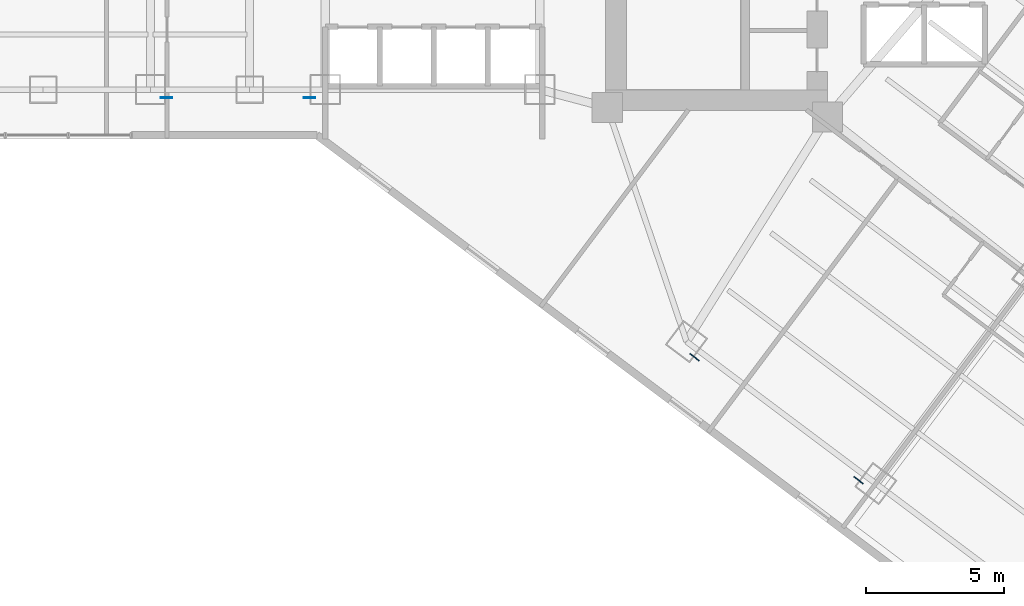
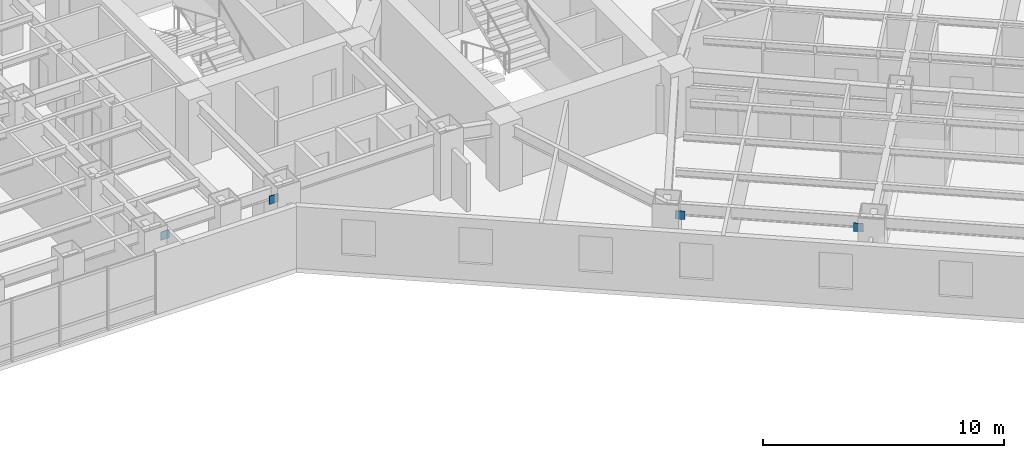
# One storey, part 22 of 37: 4 plates.
"""IFC4 building model written with IfcOpenShell, lengths in metres."""

from ifc_helpers import new_model, si_unit, direction, frame, origin, origin_2d, place, context, subcontext, project, spatial, rectangle, extrude, material, layer, layer_set, type_object, element, save


model = new_model("IFC4")

# Units and contexts
model_context = context("Model", 3, precision=1e-05, world=origin(), true_north=direction((0.0, 1.0)))
body_context = subcontext(model_context, "Body", "Model", "MODEL_VIEW")
ifc_project = project(units=[si_unit("LENGTHUNIT", "METRE"), si_unit("AREAUNIT", "SQUARE_METRE"), si_unit("VOLUMEUNIT", "CUBIC_METRE"), si_unit("PLANEANGLEUNIT", "RADIAN"), si_unit("MASSUNIT", "GRAM", prefix="KILO")], contexts=[model_context])

# Site, building, storey
site_placement = place(None, origin())
site = spatial("IfcSite", under=ifc_project, at=site_placement, CompositionType="ELEMENT")
building_placement = place(site_placement, origin())
building = spatial("IfcBuilding", under=site, at=building_placement, Name="Hatsunagi Terrace Concourse", CompositionType="ELEMENT")
storey_placement = place(building_placement, frame((0.0, 0.0, 50.0)))
storey = spatial("IfcBuildingStorey", under=building, at=storey_placement, Name="L12", CompositionType="ELEMENT", Elevation=50.0)

# Plates
ifc_material = material(Name="Steel SN490C", Category="steel")
ifc_layer = layer(ifc_material, 0.031982421875)
ifc_layer_set = layer_set([ifc_layer], Name="XBraceNodeCapPlate_32")
plate_type = type_object("IfcPlateType", Name="XBraceNodeCapPlate_32", PredefinedType="USERDEFINED", material=ifc_layer_set)
for number, where, z_axis, x_axis, name in (
    (1, (19.77490234375, 24.89990234375, 2.47998046875), (0.0, 0.0, 1.0), (1.0, 0.0, 0.0), "Cast-In Core and Node Embed Plate GP-02 EP-XB-L10-W1-AT"),
    (2, (24.97509765625, 24.89990234375, 2.47998046875), (0.0, 0.0, 1.0), (1.0, 0.0, 0.0), "Cast-In Core and Node Embed Plate GP-02 EP-XB-L10-W1-BT"),
    (3, (38.971923828125, 15.470947265625, 2.47998046875), (0.0, 0.0, 1.0), (0.799999996291, -0.600000004945, 0.0), "Cast-In Core and Node Embed Plate GP-02 EP-XB-L10-SE-AT"),
    (4, (44.931884765625, 11.0009765625, 2.47998046875), (0.0, 0.0, 1.0), (0.799999996291, -0.600000004945, 0.0), "Cast-In Core and Node Embed Plate GP-02 EP-XB-L10-SE-BT"),
):
    element("IfcPlate", number, at=place(storey_placement, frame(where, z_axis=z_axis, x_axis=x_axis)), inside=storey, type_object=plate_type, Name=name, ObjectType="GUSSET_PLATE", PredefinedType="USERDEFINED", context=body_context, shape_type="SweptSolid", body=[
        extrude(rectangle(XDim=0.419921875, YDim=0.031982421875, at=origin_2d()), origin(), (0.0, 0.0, 1.0), 0.419921875),
    ])

save(model, "model.ifc")
